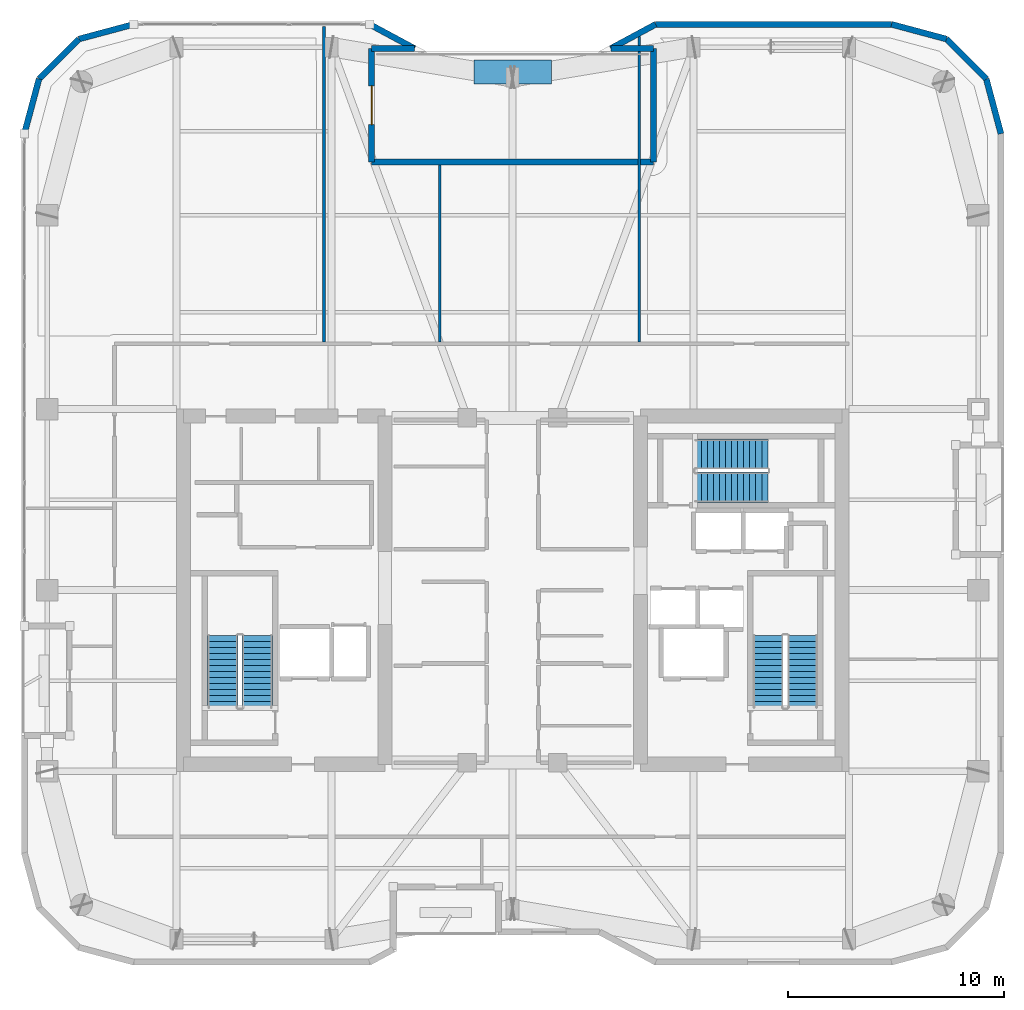
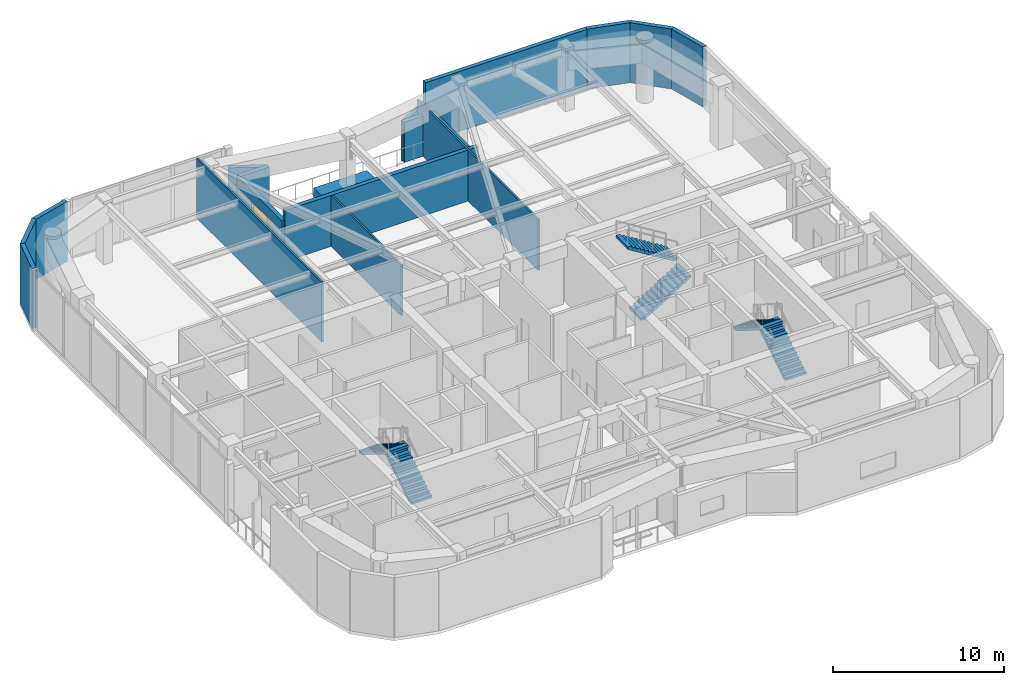
# One storey, part 16 of 19: 17 walls, 6 stair flights, 1 discrete accessory, 1 door, 1 opening, 3 elements without a shape of their own.
"""IFC4 building model written with IfcOpenShell, lengths in metres."""

from ifc_helpers import new_model, si_unit, direction, frame, frame_2d, origin, origin_2d, place, context, subcontext, project, spatial, polyline, rectangle, outline, extrude, material, layer, layer_set, type_object, element, fill, aggregate, save


model = new_model("IFC4")

# Units and contexts
model_context = context("Model", 3, precision=1e-05, world=origin(), true_north=direction((0.0, 1.0)))
body_context = subcontext(model_context, "Body", "Model", "MODEL_VIEW")
ifc_project = project(units=[si_unit("LENGTHUNIT", "METRE"), si_unit("AREAUNIT", "SQUARE_METRE"), si_unit("VOLUMEUNIT", "CUBIC_METRE"), si_unit("PLANEANGLEUNIT", "RADIAN"), si_unit("MASSUNIT", "GRAM", prefix="KILO")], contexts=[model_context])

# Site, building, storey
site_placement = place(None, origin())
site = spatial("IfcSite", under=ifc_project, at=site_placement, CompositionType="ELEMENT")
building_placement = place(site_placement, origin())
building = spatial("IfcBuilding", under=site, at=building_placement, Name="Kiyonajd Concourse Tower", CompositionType="ELEMENT")
storey_placement = place(building_placement, frame((0.0, 0.0, 238.800048828125)))
storey = spatial("IfcBuildingStorey", under=building, at=storey_placement, Name="L60", CompositionType="ELEMENT", Elevation=238.800048828125)

# Walls
ifc_material_1 = material(Name="Precast concrete C50/60", Category="concrete")
ifc_layer_1 = layer(ifc_material_1, 0.280029296875)
ifc_layer_set_1 = layer_set([ifc_layer_1], Name="Precast concrete C50/60")
wall_type_1 = type_object("IfcWallType", Name="WL-EXT-280", PredefinedType="SOLIDWALL", material=ifc_layer_set_1)
wall_1_placement = place(storey_placement, frame((25.340087890625, 57.181640625, 0.0), z_axis=(0.0, 0.0, 1.0), x_axis=(0.2588904131, 0.965906700466, 0.0)))
element("IfcWall", 1, at=wall_1_placement, inside=storey, type_object=wall_type_1, Name="L60 Exterior Concrete Frame Wall 06", PredefinedType="SOLIDWALL", context=body_context, shape_type="SweptSolid", body=[
    extrude(rectangle(XDim=2.6357421875, YDim=0.280029296875, at=frame_2d((1.31787109375, 0.0))), origin(), (0.0, 0.0, 1.0), 4.280029296875),
])
wall_2_placement = place(storey_placement, frame((26.0224609375, 59.7275390625, 0.0), z_axis=(0.0, 0.0, 1.0), x_axis=(0.707153437963, 0.707060121331, 0.0)))
element("IfcWall", 2, at=wall_2_placement, inside=storey, type_object=wall_type_1, Name="L60 Exterior Concrete Frame Wall 07", PredefinedType="SOLIDWALL", context=body_context, shape_type="SweptSolid", body=[
    extrude(rectangle(XDim=2.6162109375, YDim=0.280029296875, at=frame_2d((1.30810546875, 0.0))), origin(), (0.0, 0.0, 1.0), 4.280029296875),
])
wall_3_placement = place(storey_placement, frame((27.87255859375, 61.577392578125, 0.0), z_axis=(0.0, 0.0, 1.0), x_axis=(0.965883534663, 0.258976828051, 0.0)))
element("IfcWall", 3, at=wall_3_placement, inside=storey, type_object=wall_type_1, Name="L60 Exterior Concrete Frame Wall 08", PredefinedType="SOLIDWALL", context=body_context, shape_type="SweptSolid", body=[
    extrude(rectangle(XDim=2.6357421875, YDim=0.280029296875, at=frame_2d((1.31787109375, 0.0))), origin(), (0.0, 0.0, 1.0), 4.280029296875),
])
wall_4_placement = place(storey_placement, frame((41.36474609375, 62.260009765625, 0.0), z_axis=(0.0, 0.0, 1.0), x_axis=(0.880434593123, -0.474167615125, 0.0)))
element("IfcWall", 4, at=wall_4_placement, inside=storey, type_object=wall_type_1, Name="L60 Exterior Concrete Frame Wall 10", PredefinedType="SOLIDWALL", context=body_context, shape_type="SweptSolid", body=[
    extrude(rectangle(XDim=2.3623046875, YDim=0.280029296875, at=frame_2d((1.18115234375, 0.0))), origin(), (0.0, 0.0, 1.0), 2.864990234375),
])
wall_5_placement = place(storey_placement, frame((43.444580078125, 61.139892578125, 0.0), z_axis=(0.0, 0.0, 1.0), x_axis=(-1.0, 0.0, 0.0)))
element("IfcWall", 5, at=wall_5_placement, inside=storey, type_object=wall_type_1, Name="L60 Exterior Concrete Frame Wall 11", PredefinedType="SOLIDWALL", context=body_context, shape_type="SweptSolid", body=[
    extrude(rectangle(XDim=1.984619140625, YDim=0.280029296875, at=frame_2d((0.9921875, 0.0))), origin(), (0.0, 0.0, 1.0), 2.864990234375),
])

# Wall, opening, door
wall_6_placement = place(storey_placement, frame((41.4599609375, 61.139892578125, 0.0), z_axis=(0.0, 0.0, 1.0), x_axis=(0.0, -1.0, 0.0)))
wall_6 = element("IfcWall", 6, at=wall_6_placement, inside=storey, type_object=wall_type_1, Name="L60 Sky Garden Threshold Wall", PredefinedType="SOLIDWALL", context=body_context, shape_type="SweptSolid", body=[
    extrude(rectangle(XDim=5.27978515625, YDim=0.280029296875, at=frame_2d((2.639892578125, 0.0))), origin(), (0.0, 0.0, 1.0), 2.864990234375),
])
opening_placement = place(wall_6_placement, frame((1.739990234375, 0.0, 0.0)))
opening = element("IfcOpeningElement", 7, at=opening_placement, cuts=wall_6, Name="Opening DSK1", PredefinedType="OPENING", context=body_context, shape_type="SweptSolid", body=[
    extrude(rectangle(XDim=1.800048828125, YDim=2.10009765625, at=frame_2d((0.89990234375, 1.050048828125))), frame((0.0, 0.14990234375, 0.0), z_axis=(0.0, -1.0, 0.0), x_axis=(1.0, 0.0, 0.0)), (0.0, 0.0, 1.0), 0.300048828125),
])
ifc_material_2 = material(Name="Thermally Broken Anodised Aluminium", Category="aluminium")
door_type = type_object("IfcDoorType", Name="DR-SKY-1800", OperationType="DOUBLE_DOOR_SINGLE_SWING", PredefinedType="DOOR", material=ifc_material_2)
door_placement = place(opening_placement, origin())
door = element("IfcDoor", 8, at=door_placement, inside=storey, type_object=door_type, Name="L60 Sky Garden Terrace Double Door", OperationType="DOUBLE_DOOR_SINGLE_SWING", OverallHeight=2.10009765625, OverallWidth=1.800048828125, PredefinedType="DOOR", context=body_context, shape_type="SweptSolid", body=[
    extrude(rectangle(XDim=1.800048828125, YDim=2.10009765625, at=frame_2d((0.89990234375, 1.050048828125))), frame((0.0, 0.02490234375, 0.0), z_axis=(0.0, -1.0, 0.0), x_axis=(1.0, 0.0, 0.0)), (0.0, 0.0, 1.0), 0.050048828125),
])
fill(opening, door)

# Walls
wall_7_placement = place(storey_placement, frame((41.4599609375, 55.860107421875, 0.0), z_axis=(0.0, 0.0, 1.0), x_axis=(1.0, 0.0, 0.0)))
element("IfcWall", 9, at=wall_7_placement, inside=storey, type_object=wall_type_1, Name="L60 Sky Garden Threshold Wall", PredefinedType="SOLIDWALL", context=body_context, shape_type="SweptSolid", body=[
    extrude(rectangle(XDim=13.080078125, YDim=0.280029296875, at=frame_2d((6.5400390625, 0.0))), origin(), (0.0, 0.0, 1.0), 3.64306640625),
])
wall_8_placement = place(storey_placement, frame((54.5400390625, 55.860107421875, 0.0), z_axis=(0.0, 0.0, 1.0), x_axis=(0.0, 1.0, 0.0)))
element("IfcWall", 10, at=wall_8_placement, inside=storey, type_object=wall_type_1, Name="L60 Sky Garden Threshold Wall", PredefinedType="SOLIDWALL", context=body_context, shape_type="SweptSolid", body=[
    extrude(rectangle(XDim=5.27978515625, YDim=0.280029296875, at=frame_2d((2.639892578125, 0.0))), origin(), (0.0, 0.0, 1.0), 2.864990234375),
])
wall_9_placement = place(storey_placement, frame((54.5400390625, 61.139892578125, 0.0), z_axis=(0.0, 0.0, 1.0), x_axis=(-1.0, 0.0, 0.0)))
element("IfcWall", 11, at=wall_9_placement, inside=storey, type_object=wall_type_1, Name="L60 Exterior Concrete Frame Wall 15", PredefinedType="SOLIDWALL", context=body_context, shape_type="SweptSolid", body=[
    extrude(rectangle(XDim=1.984619140625, YDim=0.280029296875, at=frame_2d((0.9921875, 0.0))), origin(), (0.0, 0.0, 1.0), 2.864990234375),
])
wall_10_placement = place(storey_placement, frame((52.555419921875, 61.139892578125, 0.0), z_axis=(0.0, 0.0, 1.0), x_axis=(0.880434593123, 0.474167615125, 0.0)))
element("IfcWall", 12, at=wall_10_placement, inside=storey, type_object=wall_type_1, Name="L60 Exterior Concrete Frame Wall 16", PredefinedType="SOLIDWALL", context=body_context, shape_type="SweptSolid", body=[
    extrude(rectangle(XDim=2.3623046875, YDim=0.280029296875, at=frame_2d((1.18115234375, 0.0))), origin(), (0.0, 0.0, 1.0), 2.864990234375),
])
wall_11_placement = place(storey_placement, frame((54.63525390625, 62.260009765625, 0.0), z_axis=(0.0, 0.0, 1.0), x_axis=(1.0, 0.0, 0.0)))
element("IfcWall", 13, at=wall_11_placement, inside=storey, type_object=wall_type_1, Name="L60 Exterior Concrete Frame Wall 17", PredefinedType="SOLIDWALL", context=body_context, shape_type="SweptSolid", body=[
    extrude(rectangle(XDim=10.9462890625, YDim=0.280029296875, at=frame_2d((5.47314453125, 0.0))), origin(), (0.0, 0.0, 1.0), 4.280029296875),
])
wall_12_placement = place(storey_placement, frame((65.58154296875, 62.260009765625, 0.0), z_axis=(0.0, 0.0, 1.0), x_axis=(0.965883534663, -0.258976828051, 0.0)))
element("IfcWall", 14, at=wall_12_placement, inside=storey, type_object=wall_type_1, Name="L60 Exterior Concrete Frame Wall 18", PredefinedType="SOLIDWALL", context=body_context, shape_type="SweptSolid", body=[
    extrude(rectangle(XDim=2.6357421875, YDim=0.280029296875, at=frame_2d((1.31787109375, 0.0))), origin(), (0.0, 0.0, 1.0), 4.280029296875),
])
wall_13_placement = place(storey_placement, frame((68.12744140625, 61.577392578125, 0.0), z_axis=(0.0, 0.0, 1.0), x_axis=(0.707153437963, -0.707060121331, 0.0)))
element("IfcWall", 15, at=wall_13_placement, inside=storey, type_object=wall_type_1, Name="L60 Exterior Concrete Frame Wall 19", PredefinedType="SOLIDWALL", context=body_context, shape_type="SweptSolid", body=[
    extrude(rectangle(XDim=2.6162109375, YDim=0.280029296875, at=frame_2d((1.30810546875, 0.0))), origin(), (0.0, 0.0, 1.0), 4.280029296875),
])
wall_14_placement = place(storey_placement, frame((69.9775390625, 59.7275390625, 0.0), z_axis=(0.0, 0.0, 1.0), x_axis=(0.2588904131, -0.965906700466, 0.0)))
element("IfcWall", 16, at=wall_14_placement, inside=storey, type_object=wall_type_1, Name="L60 Exterior Concrete Frame Wall 20", PredefinedType="SOLIDWALL", context=body_context, shape_type="SweptSolid", body=[
    extrude(rectangle(XDim=2.6357421875, YDim=0.280029296875, at=frame_2d((1.31787109375, 0.0))), origin(), (0.0, 0.0, 1.0), 4.280029296875),
])
ifc_material_3 = material(Name="Gypsum Board on Cold-Formed Steel Stud", Category="steel")
ifc_layer_2 = layer(ifc_material_3, 0.125)
ifc_layer_set_2 = layer_set([ifc_layer_2], Name="Gypsum Board on Cold-Formed Steel Stud")
wall_type_2 = type_object("IfcWallType", Name="WL-PART-125", PredefinedType="PARTITIONING", material=ifc_layer_set_2)
wall_15_placement = place(storey_placement, frame((39.25, 47.527099609375, 0.0), z_axis=(0.0, 0.0, 1.0), x_axis=(0.0, 1.0, 0.0)))
element("IfcWall", 17, at=wall_15_placement, inside=storey, type_object=wall_type_2, Name="L60 Interior Partition Wall", PredefinedType="PARTITIONING", context=body_context, shape_type="SweptSolid", body=[
    extrude(rectangle(XDim=14.6279296875, YDim=0.125, at=frame_2d((7.31396484375, 0.0))), origin(), (0.0, 0.0, 1.0), 4.280029296875),
])
wall_16_placement = place(storey_placement, frame((44.6201171875, 47.527099609375, 0.0), z_axis=(0.0, 0.0, 1.0), x_axis=(0.0, 1.0, 0.0)))
element("IfcWall", 18, at=wall_16_placement, inside=storey, type_object=wall_type_2, Name="L60 Interior Partition Wall", PredefinedType="PARTITIONING", context=body_context, shape_type="SweptSolid", body=[
    extrude(rectangle(XDim=8.197998046875, YDim=0.125, at=frame_2d((4.09912109375, 0.0))), origin(), (0.0, 0.0, 1.0), 3.64306640625),
])
wall_17_placement = place(storey_placement, frame((53.8798828125, 47.527099609375, 0.0), z_axis=(0.0, 0.0, 1.0), x_axis=(0.0, 1.0, 0.0)))
element("IfcWall", 19, at=wall_17_placement, inside=storey, type_object=wall_type_2, Name="L60 Interior Partition Wall", PredefinedType="PARTITIONING", context=body_context, shape_type="SweptSolid", body=[
    extrude(rectangle(XDim=14.1708984375, YDim=0.125, at=frame_2d((7.08544921875, 0.0))), origin(), (0.0, 0.0, 1.0), 3.64306640625),
])

# Stair, stair flights
ifc_material_4 = material(Name="Concrete C40/50", Category="concrete")
stair_type = type_object("IfcStairType", Name="ST-DLG-26R", PredefinedType="HALF_TURN_STAIR", material=ifc_material_4)
stair_1_placement = place(storey_placement, origin())
stair_1 = element("IfcStair", 20, at=stair_1_placement, inside=storey, type_object=stair_type, Name="L60 Protected Exit Stair ST1", PredefinedType="HALF_TURN_STAIR")
stair_flight_type = type_object("IfcStairFlightType", Name="SF-STR-26R", PredefinedType="STRAIGHT", material=ifc_material_4)
stair_flight_1_placement = place(storey_placement, frame((36.14990234375, 30.550048828125, 0.0), z_axis=(0.0, 0.0, 1.0), x_axis=(0.0, 1.0, 0.0)))
stair_flight_1 = element("IfcStairFlight", 21, at=stair_flight_1_placement, type_object=stair_flight_type, Name="ST1 flight 1", NumberOfRisers=13, NumberOfTreads=12, PredefinedType="STRAIGHT", RiserHeight=0.173076923, TreadLength=0.28, context=body_context, shape_type="SweptSolid", body=[
    extrude(outline(polyline([(0.0, 0.0), (0.0, 0.173095703125), (0.280029296875, 0.173095703125), (0.280029296875, 0.34619140625), (0.56005859375, 0.34619140625), (0.56005859375, 0.519287109375), (0.840087890625, 0.519287109375), (0.840087890625, 0.6923828125), (1.1201171875, 0.6923828125), (1.1201171875, 0.865478515625), (1.39990234375, 0.865478515625), (1.39990234375, 1.03857421875), (1.679931640625, 1.03857421875), (1.679931640625, 1.21142578125), (1.9599609375, 1.21142578125), (1.9599609375, 1.384521484375), (2.239990234375, 1.384521484375), (2.239990234375, 1.5576171875), (2.52001953125, 1.5576171875), (2.52001953125, 1.730712890625), (2.800048828125, 1.730712890625), (2.800048828125, 1.90380859375), (3.080078125, 1.90380859375), (3.080078125, 2.076904296875), (3.360107421875, 2.076904296875), (3.360107421875, 2.25), (3.360107421875, 1.900634765625), (0.28515625, 0.0), (0.0, 0.0)])), frame((0.0, 0.699951171875, 0.0), z_axis=(0.0, -1.0, 0.0), x_axis=(1.0, 0.0, 0.0)), (0.0, 0.0, 1.0), 1.39990234375),
])
stair_flight_2_placement = place(storey_placement, frame((34.550048828125, 33.909912109375, 2.25), z_axis=(0.0, 0.0, 1.0), x_axis=(0.0, -1.0, 0.0)))
stair_flight_2 = element("IfcStairFlight", 22, at=stair_flight_2_placement, type_object=stair_flight_type, Name="ST1 flight 2", NumberOfRisers=13, NumberOfTreads=12, PredefinedType="STRAIGHT", RiserHeight=0.173076923, TreadLength=0.28, context=body_context, shape_type="SweptSolid", body=[
    extrude(outline(polyline([(0.0, 0.0), (0.0, 0.173095703125), (0.280029296875, 0.173095703125), (0.280029296875, 0.34619140625), (0.56005859375, 0.34619140625), (0.56005859375, 0.519287109375), (0.840087890625, 0.519287109375), (0.840087890625, 0.6923828125), (1.1201171875, 0.6923828125), (1.1201171875, 0.865478515625), (1.39990234375, 0.865478515625), (1.39990234375, 1.03857421875), (1.679931640625, 1.03857421875), (1.679931640625, 1.21142578125), (1.9599609375, 1.21142578125), (1.9599609375, 1.384521484375), (2.239990234375, 1.384521484375), (2.239990234375, 1.5576171875), (2.52001953125, 1.5576171875), (2.52001953125, 1.730712890625), (2.800048828125, 1.730712890625), (2.800048828125, 1.90380859375), (3.080078125, 1.90380859375), (3.080078125, 2.076904296875), (3.360107421875, 2.076904296875), (3.360107421875, 2.25), (3.360107421875, 1.900634765625), (0.28515625, 0.0), (0.0, 0.0)])), frame((0.0, 0.699951171875, 0.0), z_axis=(0.0, -1.0, 0.0), x_axis=(1.0, 0.0, 0.0)), (0.0, 0.0, 1.0), 1.39990234375),
])
aggregate(stair_1, [stair_flight_1, stair_flight_2])

stair_2_placement = place(storey_placement, origin())
stair_2 = element("IfcStair", 23, at=stair_2_placement, inside=storey, type_object=stair_type, Name="L60 Protected Exit Stair ST2", PredefinedType="HALF_TURN_STAIR")
stair_flight_3_placement = place(storey_placement, frame((61.449951171875, 30.550048828125, 0.0), z_axis=(0.0, 0.0, 1.0), x_axis=(0.0, 1.0, 0.0)))
stair_flight_3 = element("IfcStairFlight", 24, at=stair_flight_3_placement, type_object=stair_flight_type, Name="ST2 flight 1", NumberOfRisers=13, NumberOfTreads=12, PredefinedType="STRAIGHT", RiserHeight=0.173076923, TreadLength=0.28, context=body_context, shape_type="SweptSolid", body=[
    extrude(outline(polyline([(0.0, 0.0), (0.0, 0.173095703125), (0.280029296875, 0.173095703125), (0.280029296875, 0.34619140625), (0.56005859375, 0.34619140625), (0.56005859375, 0.519287109375), (0.840087890625, 0.519287109375), (0.840087890625, 0.6923828125), (1.1201171875, 0.6923828125), (1.1201171875, 0.865478515625), (1.39990234375, 0.865478515625), (1.39990234375, 1.03857421875), (1.679931640625, 1.03857421875), (1.679931640625, 1.21142578125), (1.9599609375, 1.21142578125), (1.9599609375, 1.384521484375), (2.239990234375, 1.384521484375), (2.239990234375, 1.5576171875), (2.52001953125, 1.5576171875), (2.52001953125, 1.730712890625), (2.800048828125, 1.730712890625), (2.800048828125, 1.90380859375), (3.080078125, 1.90380859375), (3.080078125, 2.076904296875), (3.360107421875, 2.076904296875), (3.360107421875, 2.25), (3.360107421875, 1.900634765625), (0.28515625, 0.0), (0.0, 0.0)])), frame((0.0, 0.699951171875, 0.0), z_axis=(0.0, -1.0, 0.0), x_axis=(1.0, 0.0, 0.0)), (0.0, 0.0, 1.0), 1.39990234375),
])
stair_flight_4_placement = place(storey_placement, frame((59.85009765625, 33.909912109375, 2.25), z_axis=(0.0, 0.0, 1.0), x_axis=(0.0, -1.0, 0.0)))
stair_flight_4 = element("IfcStairFlight", 25, at=stair_flight_4_placement, type_object=stair_flight_type, Name="ST2 flight 2", NumberOfRisers=13, NumberOfTreads=12, PredefinedType="STRAIGHT", RiserHeight=0.173076923, TreadLength=0.28, context=body_context, shape_type="SweptSolid", body=[
    extrude(outline(polyline([(0.0, 0.0), (0.0, 0.173095703125), (0.280029296875, 0.173095703125), (0.280029296875, 0.34619140625), (0.56005859375, 0.34619140625), (0.56005859375, 0.519287109375), (0.840087890625, 0.519287109375), (0.840087890625, 0.6923828125), (1.1201171875, 0.6923828125), (1.1201171875, 0.865478515625), (1.39990234375, 0.865478515625), (1.39990234375, 1.03857421875), (1.679931640625, 1.03857421875), (1.679931640625, 1.21142578125), (1.9599609375, 1.21142578125), (1.9599609375, 1.384521484375), (2.239990234375, 1.384521484375), (2.239990234375, 1.5576171875), (2.52001953125, 1.5576171875), (2.52001953125, 1.730712890625), (2.800048828125, 1.730712890625), (2.800048828125, 1.90380859375), (3.080078125, 1.90380859375), (3.080078125, 2.076904296875), (3.360107421875, 2.076904296875), (3.360107421875, 2.25), (3.360107421875, 1.900634765625), (0.28515625, 0.0), (0.0, 0.0)])), frame((0.0, 0.699951171875, 0.0), z_axis=(0.0, -1.0, 0.0), x_axis=(1.0, 0.0, 0.0)), (0.0, 0.0, 1.0), 1.39990234375),
])
aggregate(stair_2, [stair_flight_3, stair_flight_4])

stair_3_placement = place(storey_placement, origin())
stair_3 = element("IfcStair", 26, at=stair_3_placement, inside=storey, type_object=stair_type, Name="L60 Protected Exit Stair ST3", PredefinedType="HALF_TURN_STAIR")
stair_flight_5_placement = place(storey_placement, frame((56.47998046875, 40.780029296875, 0.0), z_axis=(0.0, 0.0, 1.0), x_axis=(1.0, 0.0, 0.0)))
stair_flight_5 = element("IfcStairFlight", 27, at=stair_flight_5_placement, type_object=stair_flight_type, Name="ST3 flight 1", NumberOfRisers=13, NumberOfTreads=12, PredefinedType="STRAIGHT", RiserHeight=0.173076923, TreadLength=0.28, context=body_context, shape_type="SweptSolid", body=[
    extrude(outline(polyline([(0.0, 0.0), (0.0, 0.173095703125), (0.280029296875, 0.173095703125), (0.280029296875, 0.34619140625), (0.56005859375, 0.34619140625), (0.56005859375, 0.519287109375), (0.840087890625, 0.519287109375), (0.840087890625, 0.6923828125), (1.1201171875, 0.6923828125), (1.1201171875, 0.865478515625), (1.39990234375, 0.865478515625), (1.39990234375, 1.03857421875), (1.679931640625, 1.03857421875), (1.679931640625, 1.21142578125), (1.9599609375, 1.21142578125), (1.9599609375, 1.384521484375), (2.239990234375, 1.384521484375), (2.239990234375, 1.5576171875), (2.52001953125, 1.5576171875), (2.52001953125, 1.730712890625), (2.800048828125, 1.730712890625), (2.800048828125, 1.90380859375), (3.080078125, 1.90380859375), (3.080078125, 2.076904296875), (3.360107421875, 2.076904296875), (3.360107421875, 2.25), (3.360107421875, 1.900634765625), (0.28515625, 0.0), (0.0, 0.0)])), frame((0.0, 0.699951171875, 0.0), z_axis=(0.0, -1.0, 0.0), x_axis=(1.0, 0.0, 0.0)), (0.0, 0.0, 1.0), 1.39990234375),
])
stair_flight_6_placement = place(storey_placement, frame((59.840087890625, 42.320068359375, 2.25), z_axis=(0.0, 0.0, 1.0), x_axis=(-1.0, 0.0, 0.0)))
stair_flight_6 = element("IfcStairFlight", 28, at=stair_flight_6_placement, type_object=stair_flight_type, Name="ST3 flight 2", NumberOfRisers=13, NumberOfTreads=12, PredefinedType="STRAIGHT", RiserHeight=0.173076923, TreadLength=0.28, context=body_context, shape_type="SweptSolid", body=[
    extrude(outline(polyline([(0.0, 0.0), (0.0, 0.173095703125), (0.280029296875, 0.173095703125), (0.280029296875, 0.34619140625), (0.56005859375, 0.34619140625), (0.56005859375, 0.519287109375), (0.840087890625, 0.519287109375), (0.840087890625, 0.6923828125), (1.1201171875, 0.6923828125), (1.1201171875, 0.865478515625), (1.39990234375, 0.865478515625), (1.39990234375, 1.03857421875), (1.679931640625, 1.03857421875), (1.679931640625, 1.21142578125), (1.9599609375, 1.21142578125), (1.9599609375, 1.384521484375), (2.239990234375, 1.384521484375), (2.239990234375, 1.5576171875), (2.52001953125, 1.5576171875), (2.52001953125, 1.730712890625), (2.800048828125, 1.730712890625), (2.800048828125, 1.90380859375), (3.080078125, 1.90380859375), (3.080078125, 2.076904296875), (3.360107421875, 2.076904296875), (3.360107421875, 2.25), (3.360107421875, 1.900634765625), (0.28515625, 0.0), (0.0, 0.0)])), frame((0.0, 0.699951171875, 0.0), z_axis=(0.0, -1.0, 0.0), x_axis=(1.0, 0.0, 0.0)), (0.0, 0.0, 1.0), 1.39990234375),
])
aggregate(stair_3, [stair_flight_5, stair_flight_6])

# Discrete accessory
discrete_accessory_type = type_object("IfcDiscreteAccessoryType", Name="DA-PLN-BOX", PredefinedType="USERDEFINED", material=ifc_material_1)
discrete_accessory_placement = place(storey_placement, frame((48.0, 60.050048828125, 0.0), z_axis=(0.0, 0.0, 1.0), x_axis=(1.0, 0.0, 0.0)))
element("IfcDiscreteAccessory", 29, at=discrete_accessory_placement, inside=storey, type_object=discrete_accessory_type, Name="L60 North Oasis Sky Garden Xeriscape Planter", ObjectType="PLANTER", PredefinedType="USERDEFINED", context=body_context, shape_type="SweptSolid", body=[
    extrude(rectangle(XDim=3.60009765625, YDim=1.10009765625, at=origin_2d()), origin(), (0.0, 0.0, 1.0), 0.64990234375),
])

save(model, "model.ifc")
